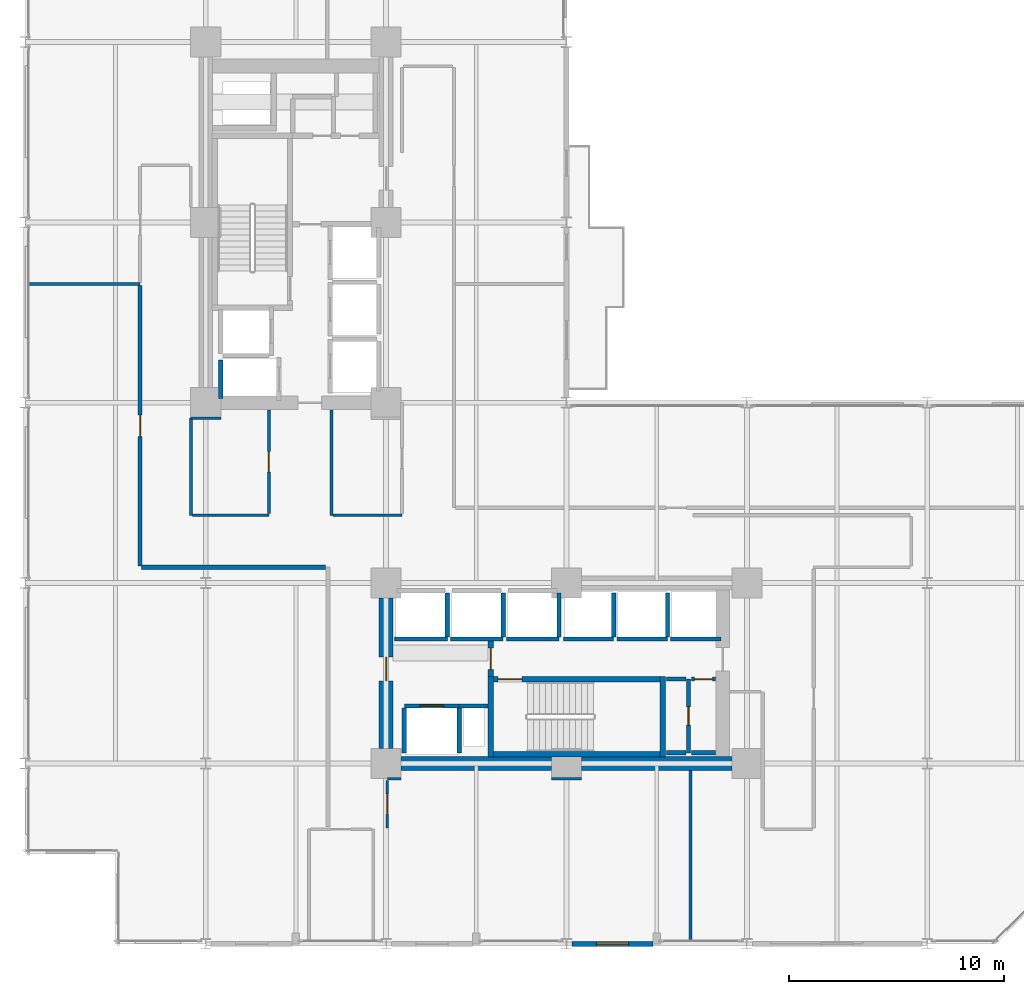
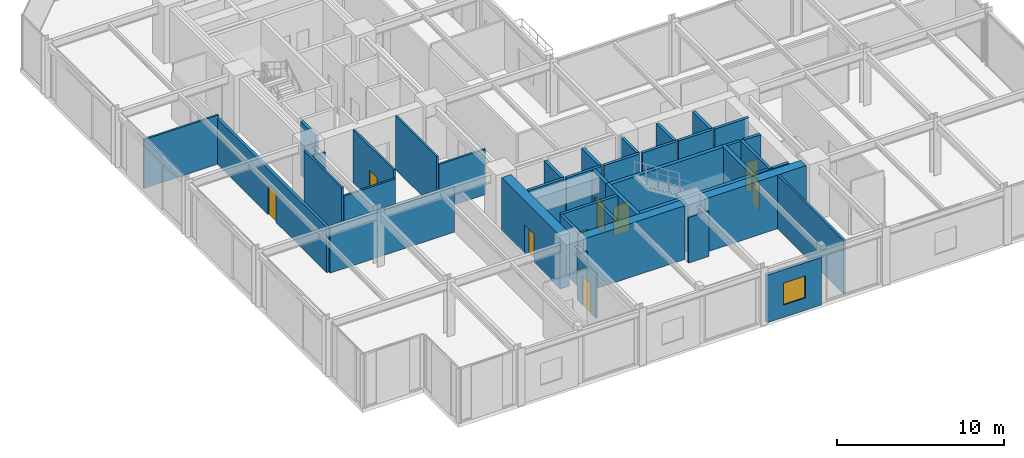
# One storey, part 19 of 24: 43 walls, 9 doors, 1 window, 10 openings.
"""IFC4 building model written with IfcOpenShell, lengths in metres."""

from ifc_helpers import new_model, si_unit, direction, frame, frame_2d, origin, place, context, subcontext, project, spatial, rectangle, extrude, material, layer, layer_set, type_object, element, fill, save


model = new_model("IFC4")

# Units and contexts
model_context = context("Model", 3, precision=1e-05, world=origin(), true_north=direction((0.0, 1.0)))
body_context = subcontext(model_context, "Body", "Model", "MODEL_VIEW")
ifc_project = project(units=[si_unit("LENGTHUNIT", "METRE"), si_unit("AREAUNIT", "SQUARE_METRE"), si_unit("VOLUMEUNIT", "CUBIC_METRE"), si_unit("PLANEANGLEUNIT", "RADIAN"), si_unit("MASSUNIT", "GRAM", prefix="KILO")], contexts=[model_context])

# Site, building, storey
site_placement = place(None, origin())
site = spatial("IfcSite", under=ifc_project, at=site_placement, CompositionType="ELEMENT")
building_placement = place(site_placement, origin())
building = spatial("IfcBuilding", under=site, at=building_placement, Name="Nerrivon Quay Data Exchange", CompositionType="ELEMENT")
storey_placement = place(building_placement, frame((0.0, 0.0, 50.0)))
storey = spatial("IfcBuildingStorey", under=building, at=storey_placement, Name="L11", CompositionType="ELEMENT", Elevation=50.0)

# Wall, opening, window
ifc_material_1 = material(Name="Architectural terracotta precast concrete N50 (50 MPa)", Category="masonry")
ifc_layer_1 = layer(ifc_material_1, 0.239990234375)
ifc_layer_set_1 = layer_set([ifc_layer_1], Name="Architectural terracotta precast concrete N50 (50 MPa)")
wall_type_1 = type_object("IfcWallType", Name="EW-PREC-240", PredefinedType="STANDARD", material=ifc_layer_set_1)
wall_1_placement = place(storey_placement, frame((29.22509765625, 0.0, 0.0), z_axis=(0.0, 0.0, 1.0), x_axis=(-1.0, 0.0, 0.0)))
wall_1 = element("IfcWall", 1, at=wall_1_placement, inside=storey, type_object=wall_type_1, Name="L11 Podium Precast Spandrel Wall 5", PredefinedType="STANDARD", context=body_context, shape_type="SweptSolid", body=[
    extrude(rectangle(XDim=3.775146484375, YDim=0.239990234375, at=frame_2d((1.8876953125, 0.0))), origin(), (0.0, 0.0, 1.0), 3.470947265625),
])
opening_1_placement = place(wall_1_placement, frame((1.137451171875, 0.0, 0.89990234375)))
opening_1 = element("IfcOpeningElement", 2, at=opening_1_placement, cuts=wall_1, Name="Opening WN4", PredefinedType="OPENING", context=body_context, shape_type="SweptSolid", body=[
    extrude(rectangle(XDim=1.5, YDim=1.60009765625, at=frame_2d((0.75, 0.800048828125))), frame((0.0, 0.1298828125, 0.0), z_axis=(0.0, -1.0, 0.0), x_axis=(1.0, 0.0, 0.0)), (0.0, 0.0, 1.0), 0.260009765625),
])
ifc_material_2 = material(Name="Double-glazed low-E solar control glass", Category="glass")
window_type = type_object("IfcWindowType", Name="WIN-W4-1500x1600", PartitioningType="SINGLE_PANEL", PredefinedType="WINDOW", material=ifc_material_2)
window_placement = place(opening_1_placement, origin())
window = element("IfcWindow", 3, at=window_placement, inside=storey, type_object=window_type, Name="L11 Solar Facade Window 5", OverallHeight=1.60009765625, OverallWidth=1.5, PartitioningType="SINGLE_PANEL", PredefinedType="WINDOW", context=body_context, shape_type="SweptSolid", body=[
    extrude(rectangle(XDim=1.5, YDim=1.60009765625, at=frame_2d((0.75, 0.800048828125))), frame((0.0, 0.030029296875, 0.0), z_axis=(0.0, -1.0, 0.0), x_axis=(1.0, 0.0, 0.0)), (0.0, 0.0, 1.0), 0.06005859375),
])
fill(opening_1, window)

# Walls
ifc_material_3 = material(Name="Concrete N80 (80 MPa)", Category="concrete")
ifc_layer_2 = layer(ifc_material_3, 0.64990234375)
ifc_layer_set_2 = layer_set([ifc_layer_2], Name="Concrete N80 (80 MPa)")
wall_type_2 = type_object("IfcWallType", Name="WALL-CW-850", PredefinedType="SHEAR", material=ifc_layer_set_2)
for number, where, z_axis, x_axis, name in (
    (4, (17.5, 8.39990234375, 0.0), (0.0, 0.0, 1.0), (1.0, 0.0, 0.0), "L11 East Split-Core Shear Wall ECW-S1"),
    (5, (25.89990234375, 8.39990234375, 0.0), (0.0, 0.0, 1.0), (1.0, 0.0, 0.0), "L11 East Split-Core Shear Wall ECW-S2"),
):
    element("IfcWall", number, at=place(storey_placement, frame(where, z_axis=z_axis, x_axis=x_axis)), inside=storey, type_object=wall_type_2, Name=name, PredefinedType="SHEAR", context=body_context, shape_type="SweptSolid", body=[
        extrude(rectangle(XDim=7.0, YDim=0.64990234375, at=frame_2d((3.5, 0.0))), origin(), (0.0, 0.0, 1.0), 3.925048828125),
    ])

# Wall, opening, door
wall_2_placement = place(storey_placement, frame((16.800048828125, 9.10009765625, 0.0), z_axis=(0.0, 0.0, 1.0), x_axis=(0.0, 1.0, 0.0)))
wall_2 = element("IfcWall", 6, at=wall_2_placement, inside=storey, type_object=wall_type_2, Name="L11 East Split-Core Shear Wall ECW-W1", PredefinedType="SHEAR", context=body_context, shape_type="SweptSolid", body=[
    extrude(rectangle(XDim=7.0, YDim=0.64990234375, at=frame_2d((3.5, 0.0))), origin(), (0.0, 0.0, 1.0), 3.925048828125),
])
opening_2_placement = place(wall_2_placement, frame((3.14990234375, 0.0, 0.0)))
opening_2 = element("IfcOpeningElement", 7, at=opening_2_placement, cuts=wall_2, Name="Opening FD-120", PredefinedType="OPENING", context=body_context, shape_type="SweptSolid", body=[
    extrude(rectangle(XDim=1.10009765625, YDim=2.14990234375, at=frame_2d((0.550048828125, 1.074951171875))), frame((0.0, 0.3349609375, 0.0), z_axis=(0.0, -1.0, 0.0), x_axis=(1.0, 0.0, 0.0)), (0.0, 0.0, 1.0), 0.669921875),
])
ifc_material_4 = material(Name="Powder-coated galvanized steel sheet", Category="steel")
door_type_1 = type_object("IfcDoorType", Name="DR-FD120-1100", OperationType="NOTDEFINED", PredefinedType="DOOR", material=ifc_material_4)
door_1_placement = place(opening_2_placement, origin())
door_1 = element("IfcDoor", 8, at=door_1_placement, inside=storey, type_object=door_type_1, Name="L11 East Core Lobby Fire Door", OperationType="SINGLE_SWING_RIGHT", OverallHeight=2.14990234375, OverallWidth=1.10009765625, PredefinedType="DOOR", context=body_context, shape_type="SweptSolid", body=[
    extrude(rectangle(XDim=1.10009765625, YDim=2.14990234375, at=frame_2d((0.550048828125, 1.074951171875))), frame((0.0, 0.02490234375, 0.0), z_axis=(0.0, -1.0, 0.0), x_axis=(1.0, 0.0, 0.0)), (0.0, 0.0, 1.0), 0.050048828125),
])
fill(opening_2, door_1)

# Walls
ifc_material_5 = material(Name="Gypsum plasterboard on cold-formed framing", Category="gypsum")
ifc_layer_3 = layer(ifc_material_5, 0.199951171875)
ifc_layer_set_3 = layer_set([ifc_layer_3], Name="Gypsum plasterboard on cold-formed framing")
wall_type_3 = type_object("IfcWallType", Name="WALL-FW-200", PredefinedType="PARTITIONING", material=ifc_layer_set_3)
wall_3_placement = place(storey_placement, frame((20.199951171875, 11.080078125, 0.0), z_axis=(0.0, 0.0, 1.0), x_axis=(1.0, 0.0, 0.0)))
element("IfcWall", 9, at=wall_3_placement, inside=storey, type_object=wall_type_3, Name="L11 East Core MEP Riser Shaft Wall N", PredefinedType="PARTITIONING", context=body_context, shape_type="SweptSolid", body=[
    extrude(rectangle(XDim=1.35009765625, YDim=0.199951171875, at=frame_2d((0.675048828125, 0.0))), origin(), (0.0, 0.0, 1.0), 3.925048828125),
])
wall_4_placement = place(storey_placement, frame((9.10009765625, 25.39990234375, 0.0), z_axis=(0.0, 0.0, 1.0), x_axis=(0.0, 1.0, 0.0)))
element("IfcWall", 10, at=wall_4_placement, inside=storey, type_object=wall_type_3, Name="L11 Lift Shaft Wall SVL-1 WEST", PredefinedType="PARTITIONING", context=body_context, shape_type="SweptSolid", body=[
    extrude(rectangle(XDim=1.800048828125, YDim=0.199951171875, at=frame_2d((0.89990234375, 0.0))), origin(), (0.0, 0.0, 1.0), 3.925048828125),
])

# Wall, opening, door
wall_5_placement = place(storey_placement, frame((17.64990234375, 11.080078125, 0.0), z_axis=(0.0, 0.0, 1.0), x_axis=(1.0, 0.0, 0.0)))
wall_5 = element("IfcWall", 11, at=wall_5_placement, inside=storey, type_object=wall_type_3, Name="L11 Lift Front Wall FFL-2", PredefinedType="PARTITIONING", context=body_context, shape_type="SweptSolid", body=[
    extrude(rectangle(XDim=2.550048828125, YDim=0.199951171875, at=frame_2d((1.27490234375, 0.0))), origin(), (0.0, 0.0, 1.0), 3.925048828125),
])
opening_3_placement = place(wall_5_placement, frame((0.72509765625, 0.0, 0.0)))
opening_3 = element("IfcOpeningElement", 12, at=opening_3_placement, cuts=wall_5, Name="Opening LD-120", PredefinedType="OPENING", context=body_context, shape_type="SweptSolid", body=[
    extrude(rectangle(XDim=1.10009765625, YDim=2.199951171875, at=frame_2d((0.550048828125, 1.10009765625))), frame((0.0, 0.10986328125, 0.0), z_axis=(0.0, -1.0, 0.0), x_axis=(1.0, 0.0, 0.0)), (0.0, 0.0, 1.0), 0.219970703125),
])
door_type_2 = type_object("IfcDoorType", Name="DR-LIFT-LD120", OperationType="DOUBLE_DOOR_SLIDING", PredefinedType="DOOR", material=ifc_material_4)
door_2_placement = place(opening_3_placement, origin())
door_2 = element("IfcDoor", 13, at=door_2_placement, inside=storey, type_object=door_type_2, Name="L11 Lift Landing Sliding Door FFL-2", OperationType="DOUBLE_DOOR_SLIDING", OverallHeight=2.199951171875, OverallWidth=1.10009765625, PredefinedType="DOOR", context=body_context, shape_type="SweptSolid", body=[
    extrude(rectangle(XDim=1.10009765625, YDim=2.199951171875, at=frame_2d((0.550048828125, 1.10009765625))), frame((0.0, 0.02490234375, 0.0), z_axis=(0.0, -1.0, 0.0), x_axis=(1.0, 0.0, 0.0)), (0.0, 0.0, 1.0), 0.050048828125),
])
fill(opening_3, door_2)

# Walls
for number, where, z_axis, x_axis, name in (
    (14, (20.199951171875, 8.8798828125, 0.0), (0.0, 0.0, 1.0), (0.0, 1.0, 0.0), "L11 Lift Shaft Wall FFL-2 EAST"),
    (15, (17.64990234375, 8.8798828125, 0.0), (0.0, 0.0, 1.0), (0.0, 1.0, 0.0), "L11 Lift Shaft Wall FFL-2 WEST"),
):
    element("IfcWall", number, at=place(storey_placement, frame(where, z_axis=z_axis, x_axis=x_axis)), inside=storey, type_object=wall_type_3, Name=name, PredefinedType="PARTITIONING", context=body_context, shape_type="SweptSolid", body=[
        extrude(rectangle(XDim=2.10009765625, YDim=0.199951171875, at=frame_2d((1.050048828125, 0.0))), origin(), (0.0, 0.0, 1.0), 3.925048828125),
    ])
wall_6_placement = place(storey_placement, frame((17.199951171875, 14.199951171875, 0.0), z_axis=(0.0, 0.0, 1.0), x_axis=(1.0, 0.0, 0.0)))
element("IfcWall", 16, at=wall_6_placement, inside=storey, type_object=wall_type_3, Name="L11 Lift Front Wall PL4", PredefinedType="PARTITIONING", context=body_context, shape_type="SweptSolid", body=[
    extrude(rectangle(XDim=2.449951171875, YDim=0.199951171875, at=frame_2d((1.22509765625, 0.0))), origin(), (0.0, 0.0, 1.0), 3.925048828125),
])
wall_7_placement = place(storey_placement, frame((19.64990234375, 14.300048828125, 0.0), z_axis=(0.0, 0.0, 1.0), x_axis=(0.0, 1.0, 0.0)))
element("IfcWall", 17, at=wall_7_placement, inside=storey, type_object=wall_type_3, Name="L11 Lift Shaft Wall PL4 EAST", PredefinedType="PARTITIONING", context=body_context, shape_type="SweptSolid", body=[
    extrude(rectangle(XDim=2.050048828125, YDim=0.199951171875, at=frame_2d((1.02490234375, 0.0))), origin(), (0.0, 0.0, 1.0), 3.925048828125),
])
wall_8_placement = place(storey_placement, frame((19.800048828125, 14.199951171875, 0.0), z_axis=(0.0, 0.0, 1.0), x_axis=(1.0, 0.0, 0.0)))
element("IfcWall", 18, at=wall_8_placement, inside=storey, type_object=wall_type_3, Name="L11 Lift Front Wall PL5", PredefinedType="PARTITIONING", context=body_context, shape_type="SweptSolid", body=[
    extrude(rectangle(XDim=2.449951171875, YDim=0.199951171875, at=frame_2d((1.22509765625, 0.0))), origin(), (0.0, 0.0, 1.0), 3.925048828125),
])
wall_9_placement = place(storey_placement, frame((22.25, 14.300048828125, 0.0), z_axis=(0.0, 0.0, 1.0), x_axis=(0.0, 1.0, 0.0)))
element("IfcWall", 19, at=wall_9_placement, inside=storey, type_object=wall_type_3, Name="L11 Lift Shaft Wall PL5 EAST", PredefinedType="PARTITIONING", context=body_context, shape_type="SweptSolid", body=[
    extrude(rectangle(XDim=2.050048828125, YDim=0.199951171875, at=frame_2d((1.02490234375, 0.0))), origin(), (0.0, 0.0, 1.0), 3.925048828125),
])
wall_10_placement = place(storey_placement, frame((22.39990234375, 14.199951171875, 0.0), z_axis=(0.0, 0.0, 1.0), x_axis=(1.0, 0.0, 0.0)))
element("IfcWall", 20, at=wall_10_placement, inside=storey, type_object=wall_type_3, Name="L11 Lift Front Wall PL6", PredefinedType="PARTITIONING", context=body_context, shape_type="SweptSolid", body=[
    extrude(rectangle(XDim=2.4501953125, YDim=0.199951171875, at=frame_2d((1.22509765625, 0.0))), origin(), (0.0, 0.0, 1.0), 3.925048828125),
])
wall_11_placement = place(storey_placement, frame((24.85009765625, 14.300048828125, 0.0), z_axis=(0.0, 0.0, 1.0), x_axis=(0.0, 1.0, 0.0)))
element("IfcWall", 21, at=wall_11_placement, inside=storey, type_object=wall_type_3, Name="L11 Lift Shaft Wall PL6 EAST", PredefinedType="PARTITIONING", context=body_context, shape_type="SweptSolid", body=[
    extrude(rectangle(XDim=2.050048828125, YDim=0.199951171875, at=frame_2d((1.02490234375, 0.0))), origin(), (0.0, 0.0, 1.0), 3.925048828125),
])
wall_12_placement = place(storey_placement, frame((25.050048828125, 14.199951171875, 0.0), z_axis=(0.0, 0.0, 1.0), x_axis=(1.0, 0.0, 0.0)))
element("IfcWall", 22, at=wall_12_placement, inside=storey, type_object=wall_type_3, Name="L11 Lift Front Wall PL7", PredefinedType="PARTITIONING", context=body_context, shape_type="SweptSolid", body=[
    extrude(rectangle(XDim=2.349853515625, YDim=0.199951171875, at=frame_2d((1.1748046875, 0.0))), origin(), (0.0, 0.0, 1.0), 3.925048828125),
])
wall_13_placement = place(storey_placement, frame((27.39990234375, 14.300048828125, 0.0), z_axis=(0.0, 0.0, 1.0), x_axis=(0.0, 1.0, 0.0)))
element("IfcWall", 23, at=wall_13_placement, inside=storey, type_object=wall_type_3, Name="L11 Lift Shaft Wall PL7 EAST", PredefinedType="PARTITIONING", context=body_context, shape_type="SweptSolid", body=[
    extrude(rectangle(XDim=2.050048828125, YDim=0.199951171875, at=frame_2d((1.02490234375, 0.0))), origin(), (0.0, 0.0, 1.0), 3.925048828125),
])
wall_14_placement = place(storey_placement, frame((27.550048828125, 14.199951171875, 0.0), z_axis=(0.0, 0.0, 1.0), x_axis=(1.0, 0.0, 0.0)))
element("IfcWall", 24, at=wall_14_placement, inside=storey, type_object=wall_type_3, Name="L11 Lift Front Wall PL8", PredefinedType="PARTITIONING", context=body_context, shape_type="SweptSolid", body=[
    extrude(rectangle(XDim=2.349853515625, YDim=0.199951171875, at=frame_2d((1.1748046875, 0.0))), origin(), (0.0, 0.0, 1.0), 3.925048828125),
])
wall_15_placement = place(storey_placement, frame((29.89990234375, 14.300048828125, 0.0), z_axis=(0.0, 0.0, 1.0), x_axis=(0.0, 1.0, 0.0)))
element("IfcWall", 25, at=wall_15_placement, inside=storey, type_object=wall_type_3, Name="L11 Lift Shaft Wall PL8 EAST", PredefinedType="PARTITIONING", context=body_context, shape_type="SweptSolid", body=[
    extrude(rectangle(XDim=2.050048828125, YDim=0.199951171875, at=frame_2d((1.02490234375, 0.0))), origin(), (0.0, 0.0, 1.0), 3.925048828125),
])
wall_16_placement = place(storey_placement, frame((30.050048828125, 14.199951171875, 0.0), z_axis=(0.0, 0.0, 1.0), x_axis=(1.0, 0.0, 0.0)))
element("IfcWall", 26, at=wall_16_placement, inside=storey, type_object=wall_type_3, Name="L11 Lift Front Wall PL9", PredefinedType="PARTITIONING", context=body_context, shape_type="SweptSolid", body=[
    extrude(rectangle(XDim=2.349853515625, YDim=0.199951171875, at=frame_2d((1.1748046875, 0.0))), origin(), (0.0, 0.0, 1.0), 3.925048828125),
])

# Wall, opening, door
wall_17_placement = place(storey_placement, frame((30.8798828125, 8.89990234375, 0.0), z_axis=(0.0, 0.0, 1.0), x_axis=(0.0, 1.0, 0.0)))
wall_17 = element("IfcWall", 27, at=wall_17_placement, inside=storey, type_object=wall_type_3, Name="L11 Partition East Electrical Closet", PredefinedType="PARTITIONING", context=body_context, shape_type="SweptSolid", body=[
    extrude(rectangle(XDim=3.43017578125, YDim=0.199951171875, at=frame_2d((1.715087890625, 0.0))), origin(), (0.0, 0.0, 1.0), 3.925048828125),
])
opening_4_placement = place(wall_17_placement, frame((1.2900390625, 0.0, 0.0)))
opening_4 = element("IfcOpeningElement", 28, at=opening_4_placement, cuts=wall_17, Name="Opening FD-60S", PredefinedType="OPENING", context=body_context, shape_type="SweptSolid", body=[
    extrude(rectangle(XDim=0.85009765625, YDim=2.14990234375, at=frame_2d((0.425048828125, 1.074951171875))), frame((0.0, 0.10986328125, 0.0), z_axis=(0.0, -1.0, 0.0), x_axis=(1.0, 0.0, 0.0)), (0.0, 0.0, 1.0), 0.219970703125),
])
ifc_material_6 = material(Name="Engineered hardwood timber", Category="wood")
door_type_3 = type_object("IfcDoorType", Name="DR-FD60-850", OperationType="NOTDEFINED", PredefinedType="DOOR", material=ifc_material_6)
door_3_placement = place(opening_4_placement, origin())
door_3 = element("IfcDoor", 29, at=door_3_placement, inside=storey, type_object=door_type_3, Name="L11 Door East Electrical Closet", OperationType="SINGLE_SWING_LEFT", OverallHeight=2.14990234375, OverallWidth=0.85009765625, PredefinedType="DOOR", context=body_context, shape_type="SweptSolid", body=[
    extrude(rectangle(XDim=0.85009765625, YDim=2.14990234375, at=frame_2d((0.425048828125, 1.074951171875))), frame((0.0, 0.02490234375, 0.0), z_axis=(0.0, -1.0, 0.0), x_axis=(1.0, 0.0, 0.0)), (0.0, 0.0, 1.0), 0.050048828125),
])
fill(opening_4, door_3)

# Walls
for number, where, z_axis, x_axis, name in (
    (30, (30.77587890625, 12.330078125, 0.0), (0.0, 0.0, 1.0), (-1.0, 0.0, 0.0), "L11 Partition East Electrical Closet"),
    (31, (29.85009765625, 8.89990234375, 0.0), (0.0, 0.0, 1.0), (1.0, 0.0, 0.0), "L11 Partition East Electrical Closet"),
):
    element("IfcWall", number, at=place(storey_placement, frame(where, z_axis=z_axis, x_axis=x_axis)), inside=storey, type_object=wall_type_3, Name=name, PredefinedType="PARTITIONING", context=body_context, shape_type="SweptSolid", body=[
        extrude(rectangle(XDim=0.92578125, YDim=0.199951171875, at=frame_2d((0.462890625, 0.0))), origin(), (0.0, 0.0, 1.0), 3.925048828125),
    ])

# Wall, opening, door
wall_18_placement = place(storey_placement, frame((32.14599609375, 12.330078125, 0.0), z_axis=(0.0, 0.0, 1.0), x_axis=(-1.0, 0.0, 0.0)))
wall_18 = element("IfcWall", 32, at=wall_18_placement, inside=storey, type_object=wall_type_3, Name="L11 Partition East Cleaners Store", PredefinedType="PARTITIONING", context=body_context, shape_type="SweptSolid", body=[
    extrude(rectangle(XDim=1.1259765625, YDim=0.199951171875, at=frame_2d((0.56298828125, 0.0))), origin(), (0.0, 0.0, 1.0), 3.925048828125),
])
opening_5_placement = place(wall_18_placement, frame((0.137939453125, 0.0, 0.0)))
opening_5 = element("IfcOpeningElement", 33, at=opening_5_placement, cuts=wall_18, Name="Opening FD-60S", PredefinedType="OPENING", context=body_context, shape_type="SweptSolid", body=[
    extrude(rectangle(XDim=0.85009765625, YDim=2.14990234375, at=frame_2d((0.425048828125, 1.074951171875))), frame((0.0, 0.10986328125, 0.0), z_axis=(0.0, -1.0, 0.0), x_axis=(1.0, 0.0, 0.0)), (0.0, 0.0, 1.0), 0.219970703125),
])
door_4_placement = place(opening_5_placement, origin())
door_4 = element("IfcDoor", 34, at=door_4_placement, inside=storey, type_object=door_type_3, Name="L11 Door East Cleaners Store", OperationType="SINGLE_SWING_RIGHT", OverallHeight=2.14990234375, OverallWidth=0.85009765625, PredefinedType="DOOR", context=body_context, shape_type="SweptSolid", body=[
    extrude(rectangle(XDim=0.85009765625, YDim=2.14990234375, at=frame_2d((0.425048828125, 1.074951171875))), frame((0.0, 0.02490234375, 0.0), z_axis=(0.0, -1.0, 0.0), x_axis=(1.0, 0.0, 0.0)), (0.0, 0.0, 1.0), 0.050048828125),
])
fill(opening_5, door_4)

# Wall
wall_19_placement = place(storey_placement, frame((31.02001953125, 8.89990234375, 0.0), z_axis=(0.0, 0.0, 1.0), x_axis=(1.0, 0.0, 0.0)))
element("IfcWall", 35, at=wall_19_placement, inside=storey, type_object=wall_type_3, Name="L11 Partition East Cleaners Store", PredefinedType="PARTITIONING", context=body_context, shape_type="SweptSolid", body=[
    extrude(rectangle(XDim=1.1259765625, YDim=0.199951171875, at=frame_2d((0.56298828125, 0.0))), origin(), (0.0, 0.0, 1.0), 3.925048828125),
])

# Wall, opening, door
wall_20_placement = place(storey_placement, frame((5.340087890625, 17.60009765625, 0.0), z_axis=(0.0, 0.0, 1.0), x_axis=(0.0, 1.0, 0.0)))
wall_20 = element("IfcWall", 36, at=wall_20_placement, inside=storey, type_object=wall_type_3, Name="L11 Partition Colocation Data Workspace 1", PredefinedType="PARTITIONING", context=body_context, shape_type="SweptSolid", body=[
    extrude(rectangle(XDim=13.05029296875, YDim=0.199951171875, at=frame_2d((6.525146484375, 0.0))), origin(), (0.0, 0.0, 1.0), 3.31298828125),
])
opening_6_placement = place(wall_20_placement, frame((6.025146484375, 0.0, 0.0)))
opening_6 = element("IfcOpeningElement", 37, at=opening_6_placement, cuts=wall_20, Name="Opening FD-60", PredefinedType="OPENING", context=body_context, shape_type="SweptSolid", body=[
    extrude(rectangle(XDim=1.0, YDim=2.14990234375, at=frame_2d((0.5, 1.074951171875))), frame((0.0, 0.10986328125, 0.0), z_axis=(0.0, -1.0, 0.0), x_axis=(1.0, 0.0, 0.0)), (0.0, 0.0, 1.0), 0.219970703125),
])
door_type_4 = type_object("IfcDoorType", Name="DR-FD60-1000", OperationType="NOTDEFINED", PredefinedType="DOOR", material=ifc_material_6)
door_5_placement = place(opening_6_placement, origin())
door_5 = element("IfcDoor", 38, at=door_5_placement, inside=storey, type_object=door_type_4, Name="L11 Door Colocation Data Workspace 1", OperationType="SINGLE_SWING_RIGHT", OverallHeight=2.14990234375, OverallWidth=1.0, PredefinedType="DOOR", context=body_context, shape_type="SweptSolid", body=[
    extrude(rectangle(XDim=1.0, YDim=2.14990234375, at=frame_2d((0.5, 1.074951171875))), frame((0.0, 0.02490234375, 0.0), z_axis=(0.0, -1.0, 0.0), x_axis=(1.0, 0.0, 0.0)), (0.0, 0.0, 1.0), 0.050048828125),
])
fill(opening_6, door_5)

# Walls
wall_21_placement = place(storey_placement, frame((13.986083984375, 17.5400390625, 0.0), z_axis=(0.0, 0.0, 1.0), x_axis=(-1.0, 0.0, 0.0)))
element("IfcWall", 39, at=wall_21_placement, inside=storey, type_object=wall_type_3, Name="L11 Partition Colocation Data Workspace 1", PredefinedType="PARTITIONING", context=body_context, shape_type="SweptSolid", body=[
    extrude(rectangle(XDim=8.586181640625, YDim=0.199951171875, at=frame_2d((4.29296875, 0.0))), origin(), (0.0, 0.0, 1.0), 3.322998046875),
])
ifc_layer_4 = layer(ifc_material_5, 0.1201171875)
ifc_layer_set_4 = layer_set([ifc_layer_4], Name="Gypsum plasterboard on cold-formed framing")
wall_type_4 = type_object("IfcWallType", Name="WALL-PT-120", PredefinedType="PARTITIONING", material=ifc_layer_set_4)
wall_22_placement = place(storey_placement, frame((9.105712890625, 24.48095703125, 0.0), z_axis=(0.0, 0.0, 1.0), x_axis=(-0.999999755233, -0.000699667487, 0.0)))
element("IfcWall", 40, at=wall_22_placement, inside=storey, type_object=wall_type_4, Name="L11 Partition Staff Pantry", PredefinedType="PARTITIONING", context=body_context, shape_type="SweptSolid", body=[
    extrude(rectangle(XDim=1.395751953125, YDim=0.1201171875, at=frame_2d((0.69775390625, 0.0))), origin(), (0.0, 0.0, 1.0), 3.322998046875),
])
wall_23_placement = place(storey_placement, frame((25.90576171875, 7.680908203125, 0.0), z_axis=(0.0, 0.0, 1.0), x_axis=(-0.999999758706, -0.000694685487, 0.0)))
element("IfcWall", 41, at=wall_23_placement, inside=storey, type_object=wall_type_4, Name="L11 Partition Quiet Reading Room", PredefinedType="PARTITIONING", context=body_context, shape_type="SweptSolid", body=[
    extrude(rectangle(XDim=1.40576171875, YDim=0.1201171875, at=frame_2d((0.702880859375, 0.0))), origin(), (0.0, 0.0, 1.0), 3.322998046875),
])
wall_24_placement = place(storey_placement, frame((17.5, 7.679931640625, 0.0), z_axis=(0.0, 0.0, 1.0), x_axis=(-1.0, 0.0, 0.0)))
element("IfcWall", 42, at=wall_24_placement, inside=storey, type_object=wall_type_4, Name="L11 Partition Quiet Reading Room", PredefinedType="PARTITIONING", context=body_context, shape_type="SweptSolid", body=[
    extrude(rectangle(XDim=0.639892578125, YDim=0.1201171875, at=frame_2d((0.31982421875, 0.0))), origin(), (0.0, 0.0, 1.0), 3.322998046875),
])

# Wall, opening, door
wall_25_placement = place(storey_placement, frame((16.860107421875, 7.615966796875, 0.0), z_axis=(0.0, 0.0, 1.0), x_axis=(0.0, -1.0, 0.0)))
wall_25 = element("IfcWall", 43, at=wall_25_placement, inside=storey, type_object=wall_type_4, Name="L11 Partition Quiet Reading Room", PredefinedType="PARTITIONING", context=body_context, shape_type="SweptSolid", body=[
    extrude(rectangle(XDim=2.216064453125, YDim=0.1201171875, at=frame_2d((1.10791015625, 0.0))), origin(), (0.0, 0.0, 1.0), 3.322998046875),
])
opening_7_placement = place(wall_25_placement, frame((0.633056640625, 0.0, 0.0)))
opening_7 = element("IfcOpeningElement", 44, at=opening_7_placement, cuts=wall_25, Name="Opening D-01", PredefinedType="OPENING", context=body_context, shape_type="SweptSolid", body=[
    extrude(rectangle(XDim=0.949951171875, YDim=2.14990234375, at=frame_2d((0.47509765625, 1.074951171875))), frame((0.0, 0.070068359375, 0.0), z_axis=(0.0, -1.0, 0.0), x_axis=(1.0, 0.0, 0.0)), (0.0, 0.0, 1.0), 0.14013671875),
])
door_type_5 = type_object("IfcDoorType", Name="DR-INT-950", OperationType="NOTDEFINED", PredefinedType="DOOR", material=ifc_material_6)
door_6_placement = place(opening_7_placement, origin())
door_6 = element("IfcDoor", 45, at=door_6_placement, inside=storey, type_object=door_type_5, Name="L11 Door Quiet Reading Room", OperationType="SINGLE_SWING_RIGHT", OverallHeight=2.14990234375, OverallWidth=0.949951171875, PredefinedType="DOOR", context=body_context, shape_type="SweptSolid", body=[
    extrude(rectangle(XDim=0.949951171875, YDim=2.14990234375, at=frame_2d((0.47509765625, 1.074951171875))), frame((0.0, 0.02490234375, 0.0), z_axis=(0.0, -1.0, 0.0), x_axis=(1.0, 0.0, 0.0)), (0.0, 0.0, 1.0), 0.050048828125),
])
fill(opening_7, door_6)

# Walls
ifc_layer_5 = layer(ifc_material_5, 0.135009765625)
ifc_layer_set_5 = layer_set([ifc_layer_5], Name="Gypsum plasterboard on cold-formed framing")
wall_type_5 = type_object("IfcWallType", Name="WALL-PT-135", PredefinedType="PARTITIONING", material=ifc_layer_set_5)
wall_26_placement = place(storey_placement, frame((14.260009765625, 24.87109375, 0.0), z_axis=(0.0, 0.0, 1.0), x_axis=(0.0, -1.0, 0.0)))
element("IfcWall", 46, at=wall_26_placement, inside=storey, type_object=wall_type_5, Name="L11 Partition Public Washrooms", PredefinedType="PARTITIONING", context=body_context, shape_type="SweptSolid", body=[
    extrude(rectangle(XDim=4.9111328125, YDim=0.135009765625, at=frame_2d((2.45556640625, 0.0))), origin(), (0.0, 0.0, 1.0), 3.925048828125),
])
wall_27_placement = place(storey_placement, frame((14.33154296875, 19.9599609375, 0.0), z_axis=(0.0, 0.0, 1.0), x_axis=(1.0, 0.0, 0.0)))
element("IfcWall", 47, at=wall_27_placement, inside=storey, type_object=wall_type_5, Name="L11 Partition Public Washrooms", PredefinedType="PARTITIONING", context=body_context, shape_type="SweptSolid", body=[
    extrude(rectangle(XDim=3.20849609375, YDim=0.135009765625, at=frame_2d((1.604248046875, 0.0))), origin(), (0.0, 0.0, 1.0), 3.322998046875),
])
wall_28_placement = place(storey_placement, frame((7.7099609375, 24.47998046875, 0.0), z_axis=(0.0, 0.0, 1.0), x_axis=(0.0, -1.0, 0.0)))
element("IfcWall", 48, at=wall_28_placement, inside=storey, type_object=wall_type_5, Name="L11 Partition Staff Pantry", PredefinedType="PARTITIONING", context=body_context, shape_type="SweptSolid", body=[
    extrude(rectangle(XDim=4.52001953125, YDim=0.135009765625, at=frame_2d((2.260009765625, 0.0))), origin(), (0.0, 0.0, 1.0), 3.925048828125),
])
wall_29_placement = place(storey_placement, frame((7.781494140625, 19.9599609375, 0.0), z_axis=(0.0, 0.0, 1.0), x_axis=(1.0, 0.0, 0.0)))
element("IfcWall", 49, at=wall_29_placement, inside=storey, type_object=wall_type_5, Name="L11 Partition Staff Pantry", PredefinedType="PARTITIONING", context=body_context, shape_type="SweptSolid", body=[
    extrude(rectangle(XDim=3.55859375, YDim=0.135009765625, at=frame_2d((1.779296875, 0.0))), origin(), (0.0, 0.0, 1.0), 3.322998046875),
])

# Wall, opening, door
wall_30_placement = place(storey_placement, frame((11.340087890625, 20.031494140625, 0.0), z_axis=(0.0, 0.0, 1.0), x_axis=(0.0, 1.0, 0.0)))
wall_30 = element("IfcWall", 50, at=wall_30_placement, inside=storey, type_object=wall_type_5, Name="L11 Partition Staff Pantry", PredefinedType="PARTITIONING", context=body_context, shape_type="SweptSolid", body=[
    extrude(rectangle(XDim=4.839599609375, YDim=0.135009765625, at=frame_2d((2.419921875, 0.0))), origin(), (0.0, 0.0, 1.0), 3.925048828125),
])
opening_8_placement = place(wall_30_placement, frame((1.944580078125, 0.0, 0.0)))
opening_8 = element("IfcOpeningElement", 51, at=opening_8_placement, cuts=wall_30, Name="Opening D-01", PredefinedType="OPENING", context=body_context, shape_type="SweptSolid", body=[
    extrude(rectangle(XDim=0.949951171875, YDim=2.14990234375, at=frame_2d((0.47509765625, 1.074951171875))), frame((0.0, 0.077392578125, 0.0), z_axis=(0.0, -1.0, 0.0), x_axis=(1.0, 0.0, 0.0)), (0.0, 0.0, 1.0), 0.155029296875),
])
door_7_placement = place(opening_8_placement, origin())
door_7 = element("IfcDoor", 52, at=door_7_placement, inside=storey, type_object=door_type_5, Name="L11 Door Staff Pantry", OperationType="SINGLE_SWING_LEFT", OverallHeight=2.14990234375, OverallWidth=0.949951171875, PredefinedType="DOOR", context=body_context, shape_type="SweptSolid", body=[
    extrude(rectangle(XDim=0.949951171875, YDim=2.14990234375, at=frame_2d((0.47509765625, 1.074951171875))), frame((0.0, 0.02490234375, 0.0), z_axis=(0.0, -1.0, 0.0), x_axis=(1.0, 0.0, 0.0)), (0.0, 0.0, 1.0), 0.050048828125),
])
fill(opening_8, door_7)

# Walls
wall_31_placement = place(storey_placement, frame((0.1689453125, 30.721923828125, 0.0), z_axis=(0.0, 0.0, 1.0), x_axis=(1.0, 0.0, 0.0)))
element("IfcWall", 53, at=wall_31_placement, inside=storey, type_object=wall_type_5, Name="L11 Partition Cloud Compute Workspace 1", PredefinedType="PARTITIONING", context=body_context, shape_type="SweptSolid", body=[
    extrude(rectangle(XDim=5.171142578125, YDim=0.135009765625, at=frame_2d((2.58544921875, 0.0))), origin(), (0.0, 0.0, 1.0), 3.56591796875),
])
ifc_layer_6 = layer(ifc_material_5, 0.14990234375)
ifc_layer_set_6 = layer_set([ifc_layer_6], Name="Gypsum plasterboard on cold-formed framing")
wall_type_6 = type_object("IfcWallType", Name="WALL-PT-150", PredefinedType="PARTITIONING", material=ifc_layer_set_6)
wall_32_placement = place(storey_placement, frame((30.974609375, 0.1689453125, 0.0), z_axis=(0.0, 0.0, 1.0), x_axis=(0.0, 1.0, 0.0)))
element("IfcWall", 54, at=wall_32_placement, inside=storey, type_object=wall_type_6, Name="L11 Partition Quiet Reading Room", PredefinedType="PARTITIONING", context=body_context, shape_type="SweptSolid", body=[
    extrude(rectangle(XDim=7.902099609375, YDim=0.14990234375, at=frame_2d((3.951171875, 0.0))), origin(), (0.0, 0.0, 1.0), 3.925048828125),
])
ifc_material_7 = material(Name="Concrete N50 (50 MPa)", Category="concrete")
ifc_layer_7 = layer(ifc_material_7, 0.25)
ifc_layer_set_7 = layer_set([ifc_layer_7], Name="Concrete N50 (50 MPa)")
wall_type_7 = type_object("IfcWallType", Name="WALL-SW-250", PredefinedType="SHEAR", material=ifc_layer_set_7)
for number, where, z_axis, x_axis, name in (
    (55, (21.675048828125, 8.699951171875, 0.0), (0.0, 0.0, 1.0), (0.0, 1.0, 0.0), "L11 ST02 Structural Stair Core Wall NEAR"),
    (56, (29.675048828125, 8.699951171875, 0.0), (0.0, 0.0, 1.0), (0.0, 1.0, 0.0), "L11 ST02 Structural Stair Core Wall FAR"),
):
    element("IfcWall", number, at=place(storey_placement, frame(where, z_axis=z_axis, x_axis=x_axis)), inside=storey, type_object=wall_type_7, Name=name, PredefinedType="SHEAR", context=body_context, shape_type="SweptSolid", body=[
        extrude(rectangle(XDim=3.75, YDim=0.25, at=frame_2d((1.875, 0.0))), origin(), (0.0, 0.0, 1.0), 3.925048828125),
    ])
wall_33_placement = place(storey_placement, frame((21.800048828125, 8.824951171875, 0.0), z_axis=(0.0, 0.0, 1.0), x_axis=(1.0, 0.0, 0.0)))
element("IfcWall", 57, at=wall_33_placement, inside=storey, type_object=wall_type_7, Name="L11 ST02 Structural Stair Core Wall LEFT", PredefinedType="SHEAR", context=body_context, shape_type="SweptSolid", body=[
    extrude(rectangle(XDim=7.75, YDim=0.25, at=frame_2d((3.875, 0.0))), origin(), (0.0, 0.0, 1.0), 3.925048828125),
])

# Wall, opening, door
wall_34_placement = place(storey_placement, frame((21.800048828125, 12.324951171875, 0.0), z_axis=(0.0, 0.0, 1.0), x_axis=(1.0, 0.0, 0.0)))
wall_34 = element("IfcWall", 58, at=wall_34_placement, inside=storey, type_object=wall_type_7, Name="L11 ST02 Structural Stair Core Wall RIGHT", PredefinedType="SHEAR", context=body_context, shape_type="SweptSolid", body=[
    extrude(rectangle(XDim=7.75, YDim=0.25, at=frame_2d((3.875, 0.0))), origin(), (0.0, 0.0, 1.0), 3.925048828125),
])
opening_9_placement = place(wall_34_placement, frame((0.219970703125, 0.0, 0.0)))
opening_9 = element("IfcOpeningElement", 59, at=opening_9_placement, cuts=wall_34, Name="Opening FD-120", PredefinedType="OPENING", context=body_context, shape_type="SweptSolid", body=[
    extrude(rectangle(XDim=1.10009765625, YDim=2.14990234375, at=frame_2d((0.550048828125, 1.074951171875))), frame((0.0, 0.135009765625, 0.0), z_axis=(0.0, -1.0, 0.0), x_axis=(1.0, 0.0, 0.0)), (0.0, 0.0, 1.0), 0.27001953125),
])
door_8_placement = place(opening_9_placement, origin())
door_8 = element("IfcDoor", 60, at=door_8_placement, inside=storey, type_object=door_type_1, Name="L11 Protected Stair Door ST02", OperationType="SINGLE_SWING_RIGHT", OverallHeight=2.14990234375, OverallWidth=1.10009765625, PredefinedType="DOOR", context=body_context, shape_type="SweptSolid", body=[
    extrude(rectangle(XDim=1.10009765625, YDim=2.14990234375, at=frame_2d((0.550048828125, 1.074951171875))), frame((0.0, 0.02490234375, 0.0), z_axis=(0.0, -1.0, 0.0), x_axis=(1.0, 0.0, 0.0)), (0.0, 0.0, 1.0), 0.050048828125),
])
fill(opening_9, door_8)

wall_35_placement = place(storey_placement, frame((21.679931640625, 12.449951171875, 0.0), z_axis=(0.0, 0.0, 1.0), x_axis=(0.0, 1.0, 0.0)))
wall_35 = element("IfcWall", 61, at=wall_35_placement, inside=storey, type_object=wall_type_7, Name="L11 East Firefighting Lobby Wall", PredefinedType="SHEAR", context=body_context, shape_type="SweptSolid", body=[
    extrude(rectangle(XDim=1.650146484375, YDim=0.25, at=frame_2d((0.8251953125, 0.0))), origin(), (0.0, 0.0, 1.0), 3.925048828125),
])
opening_10_placement = place(wall_35_placement, frame((0.324951171875, 0.0, 0.0)))
opening_10 = element("IfcOpeningElement", 62, at=opening_10_placement, cuts=wall_35, Name="Opening FD-60", PredefinedType="OPENING", context=body_context, shape_type="SweptSolid", body=[
    extrude(rectangle(XDim=1.0, YDim=2.14990234375, at=frame_2d((0.5, 1.074951171875))), frame((0.0, 0.135009765625, 0.0), z_axis=(0.0, -1.0, 0.0), x_axis=(1.0, 0.0, 0.0)), (0.0, 0.0, 1.0), 0.27001953125),
])
door_9_placement = place(opening_10_placement, origin())
door_9 = element("IfcDoor", 63, at=door_9_placement, inside=storey, type_object=door_type_4, Name="L11 East Firefighting Lobby Fire Door", OperationType="SINGLE_SWING_RIGHT", OverallHeight=2.14990234375, OverallWidth=1.0, PredefinedType="DOOR", context=body_context, shape_type="SweptSolid", body=[
    extrude(rectangle(XDim=1.0, YDim=2.14990234375, at=frame_2d((0.5, 1.074951171875))), frame((0.0, 0.02490234375, 0.0), z_axis=(0.0, -1.0, 0.0), x_axis=(1.0, 0.0, 0.0)), (0.0, 0.0, 1.0), 0.050048828125),
])
fill(opening_10, door_9)

save(model, "model.ifc")
